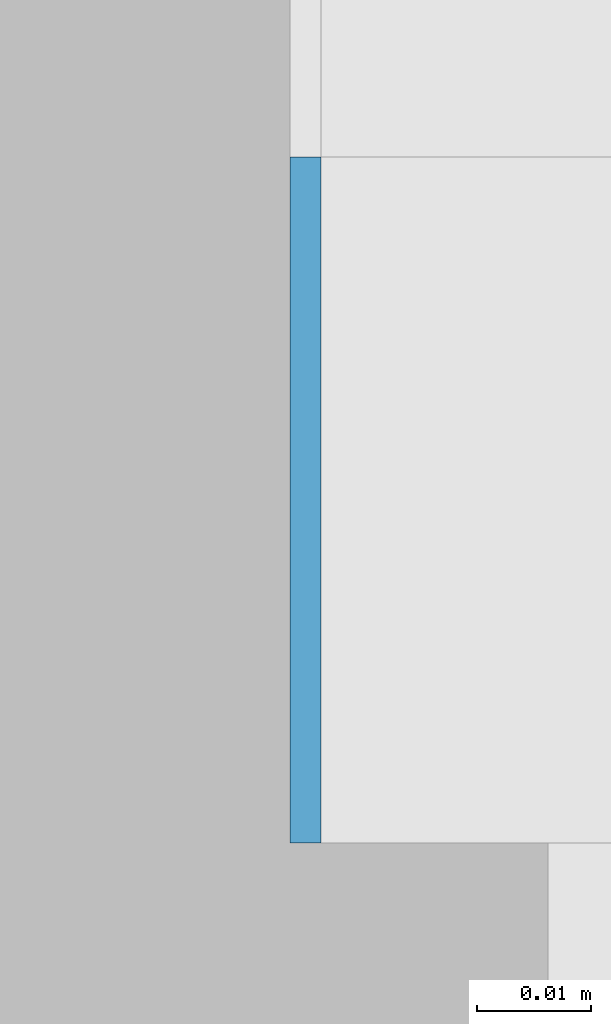
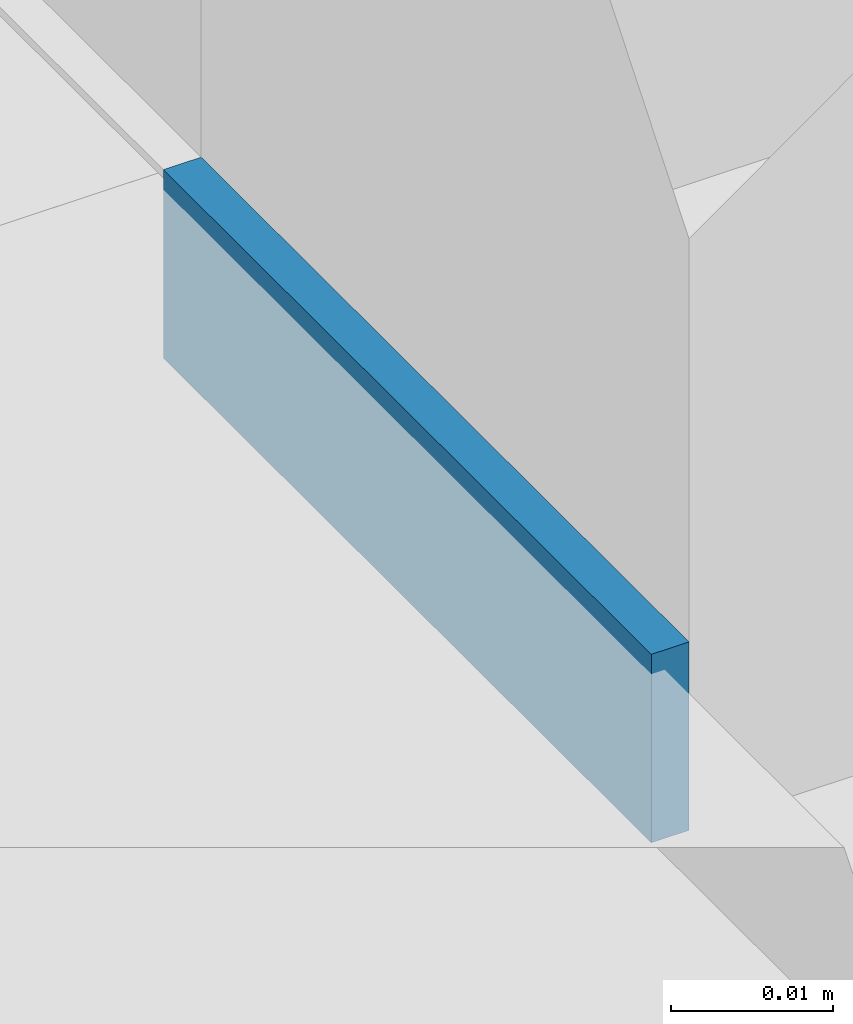
# One storey, part 524 of 646: 1 discrete accessory.
"""IFC4 building model written with IfcOpenShell, lengths in metres."""

from ifc_helpers import new_model, si_unit, direction, frame, origin, origin_2d, place, context, subcontext, project, spatial, rectangle, extrude, material, type_object, element, save


model = new_model("IFC4")

# Units and contexts
model_context = context("Model", 3, precision=1e-05, world=origin(), true_north=direction((0.0, 1.0)))
body_context = subcontext(model_context, "Body", "Model", "MODEL_VIEW")
ifc_project = project(units=[si_unit("LENGTHUNIT", "METRE"), si_unit("AREAUNIT", "SQUARE_METRE"), si_unit("VOLUMEUNIT", "CUBIC_METRE"), si_unit("PLANEANGLEUNIT", "RADIAN"), si_unit("MASSUNIT", "GRAM", prefix="KILO")], contexts=[model_context])

# Site, building, storey
site_placement = place(None, origin())
site = spatial("IfcSite", under=ifc_project, at=site_placement, CompositionType="ELEMENT")
building_placement = place(site_placement, origin())
building = spatial("IfcBuilding", under=site, at=building_placement, Name="Silverbay Arena", CompositionType="ELEMENT")
storey_placement = place(building_placement, frame((0.0, 0.0, 33.5)))
storey = spatial("IfcBuildingStorey", under=building, at=storey_placement, Name="L05", CompositionType="ELEMENT", Elevation=33.5)

# Discrete accessory
ifc_material = material(Name="Steel S355", Category="steel")
discrete_accessory_type = type_object("IfcDiscreteAccessoryType", Name="Steel bracket plate", PredefinedType="BRACKET", material=ifc_material)
discrete_accessory_placement = place(storey_placement, frame((207.128662109375, 80.969970703125, 4.0), z_axis=(0.0, 0.0, 1.0), x_axis=(1.0, 0.0, 0.0)))
element("IfcDiscreteAccessory", 1, at=discrete_accessory_placement, inside=storey, type_object=discrete_accessory_type, Name="Curtain wall packing plate", PredefinedType="BRACKET", context=body_context, shape_type="SweptSolid", body=[
    extrude(rectangle(XDim=0.002685546875, YDim=0.06005859375, at=origin_2d()), origin(), (0.0, 0.0, 1.0), 0.01416015625),
])

save(model, "model.ifc")
